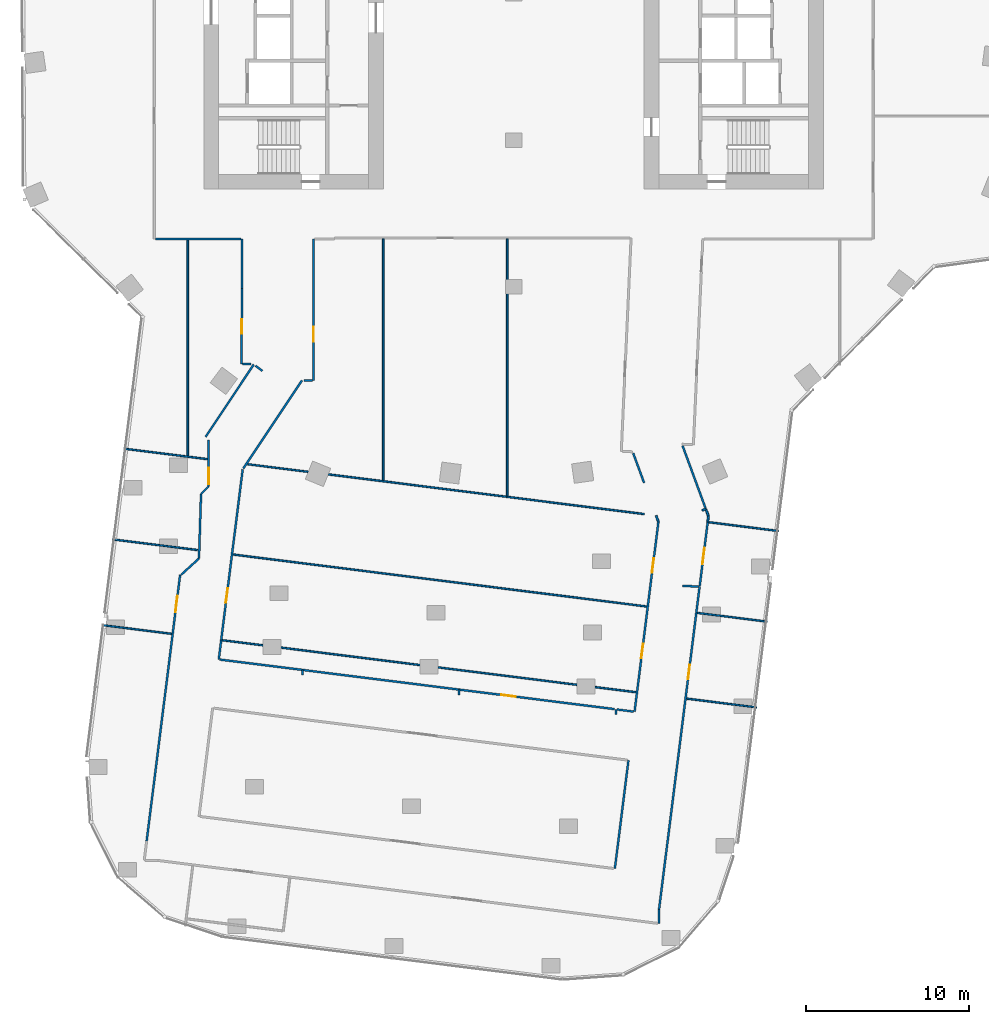
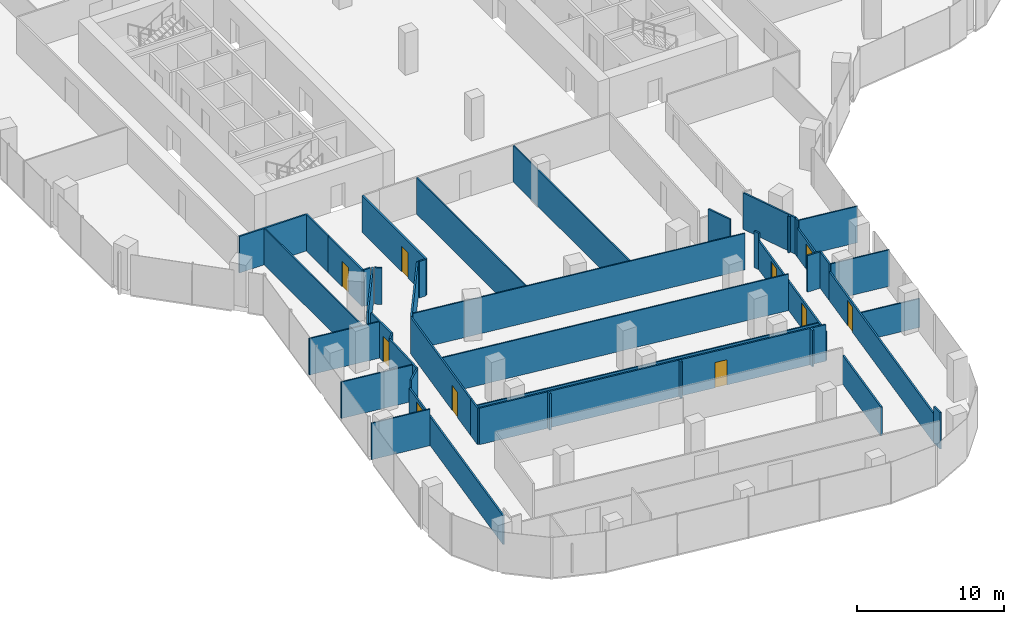
# One storey, part 19 of 27: 46 walls, 10 doors, 10 openings.
"""IFC4 building model written with IfcOpenShell, lengths in metres."""

from ifc_helpers import new_model, si_unit, direction, frame, frame_2d, origin, place, context, subcontext, project, spatial, rectangle, extrude, material, layer, layer_set, type_object, element, fill, save


model = new_model("IFC4")

# Units and contexts
model_context = context("Model", 3, precision=1e-05, world=origin(), true_north=direction((0.0, 1.0)))
body_context = subcontext(model_context, "Body", "Model", "MODEL_VIEW")
ifc_project = project(units=[si_unit("LENGTHUNIT", "METRE"), si_unit("AREAUNIT", "SQUARE_METRE"), si_unit("VOLUMEUNIT", "CUBIC_METRE"), si_unit("PLANEANGLEUNIT", "RADIAN"), si_unit("MASSUNIT", "GRAM", prefix="KILO")], contexts=[model_context])

# Site, building, storey
site_placement = place(None, origin())
site = spatial("IfcSite", under=ifc_project, at=site_placement, CompositionType="ELEMENT")
building_placement = place(site_placement, origin())
building = spatial("IfcBuilding", under=site, at=building_placement, Name="Orlundy Tower", CompositionType="ELEMENT")
storey_placement = place(building_placement, frame((0.0, 0.0, 199.10009765625)))
storey = spatial("IfcBuildingStorey", under=building, at=storey_placement, Name="L52", CompositionType="ELEMENT", Elevation=199.10009765625)

# Walls
ifc_material_1 = material(Name="Gypsum board partition")
ifc_layer_1 = layer(ifc_material_1, 0.10009765625)
ifc_layer_set_1 = layer_set([ifc_layer_1], Name="Floor partition 100")
wall_type_1 = type_object("IfcWallType", Name="Floor partition 100", PredefinedType="PARTITIONING", material=ifc_layer_set_1)
wall_1_placement = place(storey_placement, frame((-0.39892578125, -15.06201171875, 0.0), z_axis=(0.0, 0.0, 1.0), x_axis=(6.1913754e-05, -0.999999998083, 0.0)))
element("IfcWall", 1, at=wall_1_placement, inside=storey, type_object=wall_type_1, Name="wall-int-L52-001", PredefinedType="PARTITIONING", context=body_context, shape_type="SweptSolid", body=[
    extrude(rectangle(XDim=15.77294921875, YDim=0.10009765625, at=frame_2d((7.886474609375, 0.0))), origin(), (0.0, 0.0, 1.0), 3.02978515625),
])
wall_2_placement = place(storey_placement, frame((-25.281982421875, -38.7490234375, 0.0), z_axis=(0.0, 0.0, 1.0), x_axis=(0.992194392082, -0.124700795187, 0.0)))
element("IfcWall", 2, at=wall_2_placement, inside=storey, type_object=wall_type_1, Name="wall-int-L52-013", PredefinedType="PARTITIONING", context=body_context, shape_type="SweptSolid", body=[
    extrude(rectangle(XDim=4.33056640625, YDim=0.10009765625, at=frame_2d((2.165283203125, 0.0))), origin(), (0.0, 0.0, 1.0), 3.02978515625),
])
wall_3_placement = place(storey_placement, frame((-24.62109375, -33.489990234375, 0.0), z_axis=(0.0, 0.0, 1.0), x_axis=(0.992192670487, -0.124714492473, 0.0)))
element("IfcWall", 3, at=wall_3_placement, inside=storey, type_object=wall_type_1, Name="wall-int-L52-016", PredefinedType="PARTITIONING", context=body_context, shape_type="SweptSolid", body=[
    extrude(rectangle(XDim=5.260009765625, YDim=0.10009765625, at=frame_2d((2.6298828125, 0.0))), origin(), (0.0, 0.0, 1.0), 3.02978515625),
])
wall_4_placement = place(storey_placement, frame((-17.220947265625, -34.4208984375, 0.0), z_axis=(0.0, 0.0, 1.0), x_axis=(0.992190871449, -0.124728804262, 0.0)))
element("IfcWall", 4, at=wall_4_placement, inside=storey, type_object=wall_type_1, Name="wall-int-L52-017", PredefinedType="PARTITIONING", context=body_context, shape_type="SweptSolid", body=[
    extrude(rectangle(XDim=25.584716796875, YDim=0.10009765625, at=frame_2d((12.79248046875, 0.0))), origin(), (0.0, 0.0, 1.0), 3.02978515625),
])
wall_5_placement = place(storey_placement, frame((11.26611328125, -38.0029296875, 0.0), z_axis=(0.0, 0.0, 1.0), x_axis=(0.992194392082, -0.124700795187, 0.0)))
element("IfcWall", 5, at=wall_5_placement, inside=storey, type_object=wall_type_1, Name="wall-int-L52-018", PredefinedType="PARTITIONING", context=body_context, shape_type="SweptSolid", body=[
    extrude(rectangle(XDim=4.33056640625, YDim=0.10009765625, at=frame_2d((2.165283203125, 0.0))), origin(), (0.0, 0.0, 1.0), 3.02978515625),
])
wall_6_placement = place(storey_placement, frame((-23.9208984375, -27.927001953125, 0.0), z_axis=(0.0, 0.0, 1.0), x_axis=(0.992179593467, -0.124818485443, 0.0)))
element("IfcWall", 6, at=wall_6_placement, inside=storey, type_object=wall_type_1, Name="wall-int-L52-019", PredefinedType="PARTITIONING", context=body_context, shape_type="SweptSolid", body=[
    extrude(rectangle(XDim=5.175537109375, YDim=0.10009765625, at=frame_2d((2.587890625, 0.0))), origin(), (0.0, 0.0, 1.0), 3.02978515625),
])
wall_7_placement = place(storey_placement, frame((-16.31494140625, -28.884033203125, 0.0), z_axis=(0.0, 0.0, 1.0), x_axis=(0.992189406065, -0.124740460527, 0.0)))
element("IfcWall", 7, at=wall_7_placement, inside=storey, type_object=wall_type_1, Name="wall-int-L52-020", PredefinedType="PARTITIONING", context=body_context, shape_type="SweptSolid", body=[
    extrude(rectangle(XDim=24.523681640625, YDim=0.10009765625, at=frame_2d((12.26171875, 0.0))), origin(), (0.0, 0.0, 1.0), 3.02978515625),
])
wall_8_placement = place(storey_placement, frame((11.965087890625, -32.43994140625, 0.0), z_axis=(0.0, 0.0, 1.0), x_axis=(0.992194392082, -0.124700795187, 0.0)))
element("IfcWall", 8, at=wall_8_placement, inside=storey, type_object=wall_type_1, Name="wall-int-L52-021", PredefinedType="PARTITIONING", context=body_context, shape_type="SweptSolid", body=[
    extrude(rectangle(XDim=4.33056640625, YDim=0.10009765625, at=frame_2d((2.165283203125, 0.0))), origin(), (0.0, 0.0, 1.0), 3.02978515625),
])
wall_9_placement = place(storey_placement, frame((-8.0, -29.87890625, 0.0), z_axis=(0.0, 0.0, 1.0), x_axis=(0.0, 1.0, 0.0)))
element("IfcWall", 9, at=wall_9_placement, inside=storey, type_object=wall_type_1, Name="wall-int-L52-071", PredefinedType="PARTITIONING", context=body_context, shape_type="SweptSolid", body=[
    extrude(rectangle(XDim=14.81591796875, YDim=0.10009765625, at=frame_2d((7.407958984375, 0.0))), origin(), (0.0, 0.0, 1.0), 3.02978515625),
])
wall_10_placement = place(storey_placement, frame((-20.0, -28.3701171875, 0.0), z_axis=(0.0, 0.0, 1.0), x_axis=(0.0, 1.0, 0.0)))
element("IfcWall", 10, at=wall_10_placement, inside=storey, type_object=wall_type_1, Name="wall-int-L52-075", PredefinedType="PARTITIONING", context=body_context, shape_type="SweptSolid", body=[
    extrude(rectangle(XDim=13.256103515625, YDim=0.10009765625, at=frame_2d((6.6279296875, 0.0))), origin(), (0.0, 0.0, 1.0), 3.02978515625),
])
ifc_material_2 = material(Name="Gypsum board partition")
ifc_layer_2 = layer(ifc_material_2, 0.10009765625)
ifc_layer_set_2 = layer_set([ifc_layer_2], Name="Floor partition 100 B")
wall_type_2 = type_object("IfcWallType", Name="Floor partition 100 B", PredefinedType="PARTITIONING", material=ifc_layer_set_2)
wall_11_placement = place(storey_placement, frame((-17.883056640625, -39.678955078125, 0.0), z_axis=(0.0, 0.0, 1.0), x_axis=(0.992186741223, -0.124761654932, 0.0)))
element("IfcWall", 11, at=wall_11_placement, inside=storey, type_object=wall_type_2, Name="wall-int-L52-014", PredefinedType="PARTITIONING", context=body_context, shape_type="SweptSolid", body=[
    extrude(rectangle(XDim=25.5859375, YDim=0.10009765625, at=frame_2d((12.79296875, 0.0))), origin(), (0.0, 0.0, 1.0), 2.39501953125),
])
wall_12_placement = place(storey_placement, frame((10.60498046875, -43.260986328125, 0.0), z_axis=(0.0, 0.0, 1.0), x_axis=(0.992195268651, -0.124693820479, 0.0)))
element("IfcWall", 12, at=wall_12_placement, inside=storey, type_object=wall_type_2, Name="wall-int-L52-015", PredefinedType="PARTITIONING", context=body_context, shape_type="SweptSolid", body=[
    extrude(rectangle(XDim=4.330810546875, YDim=0.10009765625, at=frame_2d((2.16552734375, 0.0))), origin(), (0.0, 0.0, 1.0), 2.39501953125),
])
ifc_material_3 = material(Name="Gypsum board partition, double layer")
ifc_layer_3 = layer(ifc_material_3, 0.125)
ifc_layer_set_3 = layer_set([ifc_layer_3], Name="Floor partition 125")
wall_type_3 = type_object("IfcWallType", Name="Floor partition 125", PredefinedType="PARTITIONING", material=ifc_layer_set_3)
wall_13_placement = place(storey_placement, frame((7.33203125, -28.2099609375, 0.0), z_axis=(0.0, 0.0, 1.0), x_axis=(0.34522583337, -0.938519644959, 0.0)))
element("IfcWall", 13, at=wall_13_placement, inside=storey, type_object=wall_type_3, Name="wall-int-L52-002", PredefinedType="PARTITIONING", context=body_context, shape_type="SweptSolid", body=[
    extrude(rectangle(XDim=1.934814453125, YDim=0.125, at=frame_2d((0.96728515625, 0.0))), origin(), (0.0, 0.0, 1.0), 3.02978515625),
])
wall_14_placement = place(storey_placement, frame((8.738037109375, -32.033935546875, 0.0), z_axis=(0.0, 0.0, 1.0), x_axis=(0.344934891115, -0.938626614204, 0.0)))
element("IfcWall", 14, at=wall_14_placement, inside=storey, type_object=wall_type_3, Name="wall-int-L52-003", PredefinedType="PARTITIONING", context=body_context, shape_type="SweptSolid", body=[
    extrude(rectangle(XDim=0.4111328125, YDim=0.125, at=frame_2d((0.20556640625, 0.0))), origin(), (0.0, 0.0, 1.0), 3.02978515625),
])
wall_15_placement = place(storey_placement, frame((10.35791015625, -27.742919921875, 0.0), z_axis=(0.0, 0.0, 1.0), x_axis=(0.34503845991, -0.938588547332, 0.0)))
element("IfcWall", 15, at=wall_15_placement, inside=storey, type_object=wall_type_3, Name="wall-int-L52-004", PredefinedType="PARTITIONING", context=body_context, shape_type="SweptSolid", body=[
    extrude(rectangle(XDim=4.072021484375, YDim=0.125, at=frame_2d((2.0361328125, 0.0))), origin(), (0.0, 0.0, 1.0), 3.02978515625),
])
wall_16_placement = place(storey_placement, frame((11.785888671875, -31.6279296875, 0.0), z_axis=(0.0, 0.0, 1.0), x_axis=(0.346065449672, -0.938210373287, 0.0)))
element("IfcWall", 16, at=wall_16_placement, inside=storey, type_object=wall_type_3, Name="wall-int-L52-005", PredefinedType="PARTITIONING", context=body_context, shape_type="SweptSolid", body=[
    extrude(rectangle(XDim=0.47119140625, YDim=0.125, at=frame_2d((0.235595703125, 0.0))), origin(), (0.0, 0.0, 1.0), 3.02978515625),
])
wall_17_placement = place(storey_placement, frame((-15.840087890625, -22.843017578125, 0.0), z_axis=(0.0, 0.0, 1.0), x_axis=(0.80067453545, -0.599099564582, 0.0)))
element("IfcWall", 17, at=wall_17_placement, inside=storey, type_object=wall_type_3, Name="wall-int-L52-006", PredefinedType="PARTITIONING", context=body_context, shape_type="SweptSolid", body=[
    extrude(rectangle(XDim=0.520751953125, YDim=0.125, at=frame_2d((0.26025390625, 0.0))), origin(), (0.0, 0.0, 1.0), 3.02978515625),
])

# Wall, opening, door
wall_18_placement = place(storey_placement, frame((-18.031982421875, -40.865966796875, 0.0), z_axis=(0.0, 0.0, 1.0), x_axis=(0.9922120451, -0.124560256738, 0.0)))
wall_18 = element("IfcWall", 18, at=wall_18_placement, inside=storey, type_object=wall_type_3, Name="wall-int-L52-011", PredefinedType="PARTITIONING", context=body_context, shape_type="SweptSolid", body=[
    extrude(rectangle(XDim=24.4140625, YDim=0.125, at=frame_2d((12.20703125, 0.0))), origin(), (0.0, 0.0, 1.0), 3.02978515625),
])
opening_1_placement = place(wall_18_placement, frame((17.40380859375, 0.0, 0.0)))
opening_1 = element("IfcOpeningElement", 19, at=opening_1_placement, cuts=wall_18, Name="Opening 40105", PredefinedType="OPENING", context=body_context, shape_type="SweptSolid", body=[
    extrude(rectangle(XDim=0.89990234375, YDim=2.10009765625, at=frame_2d((0.449951171875, 1.050048828125))), frame((0.0, 0.072509765625, 0.0), z_axis=(0.0, -1.0, 0.0), x_axis=(1.0, 0.0, 0.0)), (0.0, 0.0, 1.0), 0.14501953125),
])
ifc_material_4 = material(Name="Timber door leaf", Category="wood")
door_type_1 = type_object("IfcDoorType", Name="Floor door single 900 FD30S", OperationType="NOTDEFINED", PredefinedType="DOOR", material=ifc_material_4)
door_1_placement = place(opening_1_placement, origin())
door_1 = element("IfcDoor", 20, at=door_1_placement, inside=storey, type_object=door_type_1, Name="Door 40105", OperationType="SINGLE_SWING_RIGHT", OverallHeight=2.10009765625, OverallWidth=0.89990234375, PredefinedType="DOOR", context=body_context, shape_type="SweptSolid", body=[
    extrude(rectangle(XDim=0.89990234375, YDim=2.10009765625, at=frame_2d((0.449951171875, 1.050048828125))), frame((0.0, 0.02490234375, 0.0), z_axis=(0.0, -1.0, 0.0), x_axis=(1.0, 0.0, 0.0)), (0.0, 0.0, 1.0), 0.050048828125),
])
fill(opening_1, door_1)

# Walls
wall_19_placement = place(storey_placement, frame((6.342041015625, -43.930908203125, 0.0), z_axis=(0.0, 0.0, 1.0), x_axis=(0.992192944833, -0.124712309833, 0.0)))
element("IfcWall", 21, at=wall_19_placement, inside=storey, type_object=wall_type_3, Name="wall-int-L52-012", PredefinedType="PARTITIONING", context=body_context, shape_type="SweptSolid", body=[
    extrude(rectangle(XDim=1.02001953125, YDim=0.125, at=frame_2d((0.510009765625, 0.0))), origin(), (0.0, 0.0, 1.0), 3.02978515625),
])
wall_20_placement = place(storey_placement, frame((10.365966796875, -36.35595703125, 0.0), z_axis=(0.0, 0.0, 1.0), x_axis=(0.999700907591, -0.024455988254, 0.0)))
element("IfcWall", 22, at=wall_20_placement, inside=storey, type_object=wall_type_3, Name="wall-int-L52-024", PredefinedType="PARTITIONING", context=body_context, shape_type="SweptSolid", body=[
    extrude(rectangle(XDim=0.978271484375, YDim=0.125, at=frame_2d((0.4892578125, 0.0))), origin(), (0.0, 0.0, 1.0), 3.02978515625),
])
for number, where, z_axis, x_axis, name in (
    (23, (-12.876953125, -23.7451171875, 0.0), (0.0, 0.0, 1.0), (0.999992999485, -0.003741788586, 0.0), "wall-int-L52-026"),
    (24, (-16.62890625, -22.72802734375, 0.0), (0.0, 0.0, 1.0), (0.999992999485, -0.003741788586, 0.0), "wall-int-L52-027"),
):
    element("IfcWall", number, at=place(storey_placement, frame(where, z_axis=z_axis, x_axis=x_axis)), inside=storey, type_object=wall_type_3, Name=name, PredefinedType="PARTITIONING", context=body_context, shape_type="SweptSolid", body=[
        extrude(rectangle(XDim=0.52197265625, YDim=0.125, at=frame_2d((0.260986328125, 0.0))), origin(), (0.0, 0.0, 1.0), 3.02978515625),
    ])
wall_21_placement = place(storey_placement, frame((-20.402099609375, -35.6640625, 0.0), z_axis=(0.0, 0.0, 1.0), x_axis=(0.738431976745, 0.674327973408, 0.0)))
element("IfcWall", 25, at=wall_21_placement, inside=storey, type_object=wall_type_3, Name="wall-int-L52-028", PredefinedType="PARTITIONING", context=body_context, shape_type="SweptSolid", body=[
    extrude(rectangle(XDim=1.4814453125, YDim=0.125, at=frame_2d((0.74072265625, 0.0))), origin(), (0.0, 0.0, 1.0), 3.02978515625),
])
wall_22_placement = place(storey_placement, frame((-19.181884765625, -30.702880859375, 0.0), z_axis=(0.0, 0.0, 1.0), x_axis=(0.707106781187, 0.707106781187, 0.0)))
element("IfcWall", 26, at=wall_22_placement, inside=storey, type_object=wall_type_3, Name="wall-int-L52-029", PredefinedType="PARTITIONING", context=body_context, shape_type="SweptSolid", body=[
    extrude(rectangle(XDim=0.65869140625, YDim=0.125, at=frame_2d((0.329345703125, 0.0))), origin(), (0.0, 0.0, 1.0), 3.02978515625),
])
wall_23_placement = place(storey_placement, frame((-21.988037109375, -15.051025390625, 0.0), z_axis=(0.0, 0.0, 1.0), x_axis=(1.0, 0.0, 0.0)))
element("IfcWall", 27, at=wall_23_placement, inside=storey, type_object=wall_type_3, Name="wall-int-L52-030", PredefinedType="PARTITIONING", context=body_context, shape_type="SweptSolid", body=[
    extrude(rectangle(XDim=5.255126953125, YDim=0.125, at=frame_2d((2.62744140625, 0.0))), origin(), (0.0, 0.0, 1.0), 3.02978515625),
])
wall_24_placement = place(storey_placement, frame((11.56298828125, -31.720947265625, 0.0), z_axis=(0.0, 0.0, 1.0), x_axis=(0.921426271694, 0.3885532471, 0.0)))
element("IfcWall", 28, at=wall_24_placement, inside=storey, type_object=wall_type_3, Name="wall-int-L52-041", PredefinedType="PARTITIONING", context=body_context, shape_type="SweptSolid", body=[
    extrude(rectangle(XDim=0.241943359375, YDim=0.125, at=frame_2d((0.12109375, 0.0))), origin(), (0.0, 0.0, 1.0), 3.02978515625),
])
wall_25_placement = place(storey_placement, frame((-12.992919921875, -23.7451171875, 0.0), z_axis=(0.0, 0.0, 1.0), x_axis=(-0.554439865958, -0.832223789035, 0.0)))
element("IfcWall", 29, at=wall_25_placement, inside=storey, type_object=wall_type_3, Name="wall-int-L52-042", PredefinedType="PARTITIONING", context=body_context, shape_type="SweptSolid", body=[
    extrude(rectangle(XDim=6.4931640625, YDim=0.125, at=frame_2d((3.24658203125, 0.0))), origin(), (0.0, 0.0, 1.0), 3.02978515625),
])
wall_26_placement = place(storey_placement, frame((-15.947998046875, -22.76806640625, 0.0), z_axis=(0.0, 0.0, 1.0), x_axis=(-0.554404200785, -0.832247548601, 0.0)))
element("IfcWall", 30, at=wall_26_placement, inside=storey, type_object=wall_type_3, Name="wall-int-L52-043", PredefinedType="PARTITIONING", context=body_context, shape_type="SweptSolid", body=[
    extrude(rectangle(XDim=5.330078125, YDim=0.125, at=frame_2d((2.6650390625, 0.0))), origin(), (0.0, 0.0, 1.0), 3.02978515625),
])
wall_27_placement = place(storey_placement, frame((-19.18310546875, -30.7080078125, 0.0), z_axis=(0.0, 0.0, 1.0), x_axis=(-0.0315735891, -0.99950142995, 0.0)))
element("IfcWall", 31, at=wall_27_placement, inside=storey, type_object=wall_type_3, Name="wall-int-L52-044", PredefinedType="PARTITIONING", context=body_context, shape_type="SweptSolid", body=[
    extrude(rectangle(XDim=3.958984375, YDim=0.125, at=frame_2d((1.9794921875, 0.0))), origin(), (0.0, 0.0, 1.0), 3.02978515625),
])
wall_28_placement = place(storey_placement, frame((11.903076171875, -32.431884765625, 0.0), z_axis=(0.0, 0.0, 1.0), x_axis=(0.125847054802, 0.992049655409, 0.0)))
element("IfcWall", 32, at=wall_28_placement, inside=storey, type_object=wall_type_3, Name="wall-int-L52-045", PredefinedType="PARTITIONING", context=body_context, shape_type="SweptSolid", body=[
    extrude(rectangle(XDim=0.36474609375, YDim=0.125, at=frame_2d((0.182373046875, 0.0))), origin(), (0.0, 0.0, 1.0), 3.02978515625),
])

# Wall, opening, door
wall_29_placement = place(storey_placement, frame((-16.6259765625, -29.197998046875, 0.0), z_axis=(0.0, 0.0, 1.0), x_axis=(-0.1249655299, -0.992161083865, 0.0)))
wall_29 = element("IfcWall", 33, at=wall_29_placement, inside=storey, type_object=wall_type_3, Name="wall-int-L52-052", PredefinedType="PARTITIONING", context=body_context, shape_type="SweptSolid", body=[
    extrude(rectangle(XDim=10.5556640625, YDim=0.125, at=frame_2d((5.27783203125, 0.0))), origin(), (0.0, 0.0, 1.0), 3.02978515625),
])
opening_2_placement = place(wall_29_placement, frame((7.35595703125, 0.0, 0.0)))
opening_2 = element("IfcOpeningElement", 34, at=opening_2_placement, cuts=wall_29, Name="Opening 40103", PredefinedType="OPENING", context=body_context, shape_type="SweptSolid", body=[
    extrude(rectangle(XDim=0.89990234375, YDim=2.10009765625, at=frame_2d((0.449951171875, 1.050048828125))), frame((0.0, 0.072509765625, 0.0), z_axis=(0.0, -1.0, 0.0), x_axis=(1.0, 0.0, 0.0)), (0.0, 0.0, 1.0), 0.14501953125),
])
door_2_placement = place(opening_2_placement, origin())
door_2 = element("IfcDoor", 35, at=door_2_placement, inside=storey, type_object=door_type_1, Name="Door 40103", OperationType="SINGLE_SWING_RIGHT", OverallHeight=2.10009765625, OverallWidth=0.89990234375, PredefinedType="DOOR", context=body_context, shape_type="SweptSolid", body=[
    extrude(rectangle(XDim=0.89990234375, YDim=2.10009765625, at=frame_2d((0.449951171875, 1.050048828125))), frame((0.0, 0.02490234375, 0.0), z_axis=(0.0, -1.0, 0.0), x_axis=(1.0, 0.0, 0.0)), (0.0, 0.0, 1.0), 0.050048828125),
])
fill(opening_2, door_2)

# Walls
wall_30_placement = place(storey_placement, frame((-18.093994140625, -40.85791015625, 0.0), z_axis=(0.0, 0.0, 1.0), x_axis=(0.124486830253, 0.99222126015, 0.0)))
element("IfcWall", 36, at=wall_30_placement, inside=storey, type_object=wall_type_3, Name="wall-int-L52-054", PredefinedType="PARTITIONING", context=body_context, shape_type="SweptSolid", body=[
    extrude(rectangle(XDim=1.1962890625, YDim=0.125, at=frame_2d((0.59814453125, 0.0))), origin(), (0.0, 0.0, 1.0), 3.02978515625),
])
wall_31_placement = place(storey_placement, frame((11.2041015625, -37.9951171875, 0.0), z_axis=(0.0, 0.0, 1.0), x_axis=(0.124201089062, 0.992257068242, 0.0)))
element("IfcWall", 37, at=wall_31_placement, inside=storey, type_object=wall_type_3, Name="wall-int-L52-056", PredefinedType="PARTITIONING", context=body_context, shape_type="SweptSolid", body=[
    extrude(rectangle(XDim=1.625732421875, YDim=0.125, at=frame_2d((0.81298828125, 0.0))), origin(), (0.0, 0.0, 1.0), 3.02978515625),
])
wall_32_placement = place(storey_placement, frame((8.906005859375, -57.056884765625, 0.0), z_axis=(0.0, 0.0, 1.0), x_axis=(0.010516757761, 0.999944697374, 0.0)))
element("IfcWall", 38, at=wall_32_placement, inside=storey, type_object=wall_type_3, Name="wall-int-L52-060", PredefinedType="PARTITIONING", context=body_context, shape_type="SweptSolid", body=[
    extrude(rectangle(XDim=0.85888671875, YDim=0.125, at=frame_2d((0.429443359375, 0.0))), origin(), (0.0, 0.0, 1.0), 3.02978515625),
])

# Wall, opening, door
wall_33_placement = place(storey_placement, frame((-12.27001953125, -15.051025390625, 0.0), z_axis=(0.0, 0.0, 1.0), x_axis=(-0.002639031771, -0.99999651775, 0.0)))
wall_33 = element("IfcWall", 39, at=wall_33_placement, inside=storey, type_object=wall_type_3, Name="wall-int-L52-061", PredefinedType="PARTITIONING", context=body_context, shape_type="SweptSolid", body=[
    extrude(rectangle(XDim=8.696044921875, YDim=0.125, at=frame_2d((4.34814453125, 0.0))), origin(), (0.0, 0.0, 1.0), 3.02978515625),
])
opening_3_placement = place(wall_33_placement, frame((5.405517578125, 0.0, 0.0)))
opening_3 = element("IfcOpeningElement", 40, at=opening_3_placement, cuts=wall_33, Name="Opening 40113", PredefinedType="OPENING", context=body_context, shape_type="SweptSolid", body=[
    extrude(rectangle(XDim=0.89990234375, YDim=2.10009765625, at=frame_2d((0.449951171875, 1.050048828125))), frame((0.0, 0.072509765625, 0.0), z_axis=(0.0, -1.0, 0.0), x_axis=(1.0, 0.0, 0.0)), (0.0, 0.0, 1.0), 0.14501953125),
])
door_3_placement = place(opening_3_placement, origin())
door_3 = element("IfcDoor", 41, at=door_3_placement, inside=storey, type_object=door_type_1, Name="Door 40113", OperationType="SINGLE_SWING_RIGHT", OverallHeight=2.10009765625, OverallWidth=0.89990234375, PredefinedType="DOOR", context=body_context, shape_type="SweptSolid", body=[
    extrude(rectangle(XDim=0.89990234375, YDim=2.10009765625, at=frame_2d((0.449951171875, 1.050048828125))), frame((0.0, 0.02490234375, 0.0), z_axis=(0.0, -1.0, 0.0), x_axis=(1.0, 0.0, 0.0)), (0.0, 0.0, 1.0), 0.050048828125),
])
fill(opening_3, door_3)

# Wall
wall_34_placement = place(storey_placement, frame((-16.678955078125, -18.093994140625, 0.0), z_axis=(0.0, 0.0, 1.0), x_axis=(0.002647615881, 0.999996495059, 0.0)))
element("IfcWall", 42, at=wall_34_placement, inside=storey, type_object=wall_type_3, Name="wall-int-L52-062", PredefinedType="PARTITIONING", context=body_context, shape_type="SweptSolid", body=[
    extrude(rectangle(XDim=3.04296875, YDim=0.125, at=frame_2d((1.521484375, 0.0))), origin(), (0.0, 0.0, 1.0), 3.02978515625),
])

# Wall, opening, door
wall_35_placement = place(storey_placement, frame((-16.69091796875, -22.72802734375, 0.0), z_axis=(0.0, 0.0, 1.0), x_axis=(0.002581520295, 0.999996667871, 0.0)))
wall_35 = element("IfcWall", 43, at=wall_35_placement, inside=storey, type_object=wall_type_3, Name="wall-int-L52-063", PredefinedType="PARTITIONING", context=body_context, shape_type="SweptSolid", body=[
    extrude(rectangle(XDim=4.634033203125, YDim=0.125, at=frame_2d((2.31689453125, 0.0))), origin(), (0.0, 0.0, 1.0), 3.02978515625),
])
opening_4_placement = place(wall_35_placement, frame((1.85009765625, 0.0, 0.0)))
opening_4 = element("IfcOpeningElement", 44, at=opening_4_placement, cuts=wall_35, Name="Opening 40112", PredefinedType="OPENING", context=body_context, shape_type="SweptSolid", body=[
    extrude(rectangle(XDim=0.89990234375, YDim=2.10009765625, at=frame_2d((0.449951171875, 1.050048828125))), frame((0.0, 0.072509765625, 0.0), z_axis=(0.0, -1.0, 0.0), x_axis=(1.0, 0.0, 0.0)), (0.0, 0.0, 1.0), 0.14501953125),
])
door_4_placement = place(opening_4_placement, origin())
door_4 = element("IfcDoor", 45, at=door_4_placement, inside=storey, type_object=door_type_1, Name="Door 40112", OperationType="SINGLE_SWING_LEFT", OverallHeight=2.10009765625, OverallWidth=0.89990234375, PredefinedType="DOOR", context=body_context, shape_type="SweptSolid", body=[
    extrude(rectangle(XDim=0.89990234375, YDim=2.10009765625, at=frame_2d((0.449951171875, 1.050048828125))), frame((0.0, 0.02490234375, 0.0), z_axis=(0.0, -1.0, 0.0), x_axis=(1.0, 0.0, 0.0)), (0.0, 0.0, 1.0), 0.050048828125),
])
fill(opening_4, door_4)

# Walls
wall_36_placement = place(storey_placement, frame((6.280029296875, -44.2470703125, 0.0), z_axis=(0.0, 0.0, 1.0), x_axis=(0.0, 1.0, 0.0)))
element("IfcWall", 46, at=wall_36_placement, inside=storey, type_object=wall_type_3, Name="wall-int-L52-068", PredefinedType="PARTITIONING", context=body_context, shape_type="SweptSolid", body=[
    extrude(rectangle(XDim=0.323974609375, YDim=0.125, at=frame_2d((0.162109375, 0.0))), origin(), (0.0, 0.0, 1.0), 3.02978515625),
])
wall_37_placement = place(storey_placement, frame((-3.344970703125, -43.037109375, 0.0), z_axis=(0.0, 0.0, 1.0), x_axis=(0.0, 1.0, 0.0)))
element("IfcWall", 47, at=wall_37_placement, inside=storey, type_object=wall_type_3, Name="wall-int-L52-070", PredefinedType="PARTITIONING", context=body_context, shape_type="SweptSolid", body=[
    extrude(rectangle(XDim=0.32421875, YDim=0.125, at=frame_2d((0.162109375, 0.0))), origin(), (0.0, 0.0, 1.0), 3.02978515625),
])
wall_38_placement = place(storey_placement, frame((-12.968017578125, -41.826904296875, 0.0), z_axis=(0.0, 0.0, 1.0), x_axis=(0.0, 1.0, 0.0)))
element("IfcWall", 48, at=wall_38_placement, inside=storey, type_object=wall_type_3, Name="wall-int-L52-073", PredefinedType="PARTITIONING", context=body_context, shape_type="SweptSolid", body=[
    extrude(rectangle(XDim=0.323974609375, YDim=0.125, at=frame_2d((0.162109375, 0.0))), origin(), (0.0, 0.0, 1.0), 3.02978515625),
])

# Wall, opening, door
wall_39_placement = place(storey_placement, frame((-18.716064453125, -30.237060546875, 0.0), z_axis=(0.0, 0.0, 1.0), x_axis=(0.0, 1.0, 0.0)))
wall_39 = element("IfcWall", 49, at=wall_39_placement, inside=storey, type_object=wall_type_3, Name="wall-int-L52-074", PredefinedType="PARTITIONING", context=body_context, shape_type="SweptSolid", body=[
    extrude(rectangle(XDim=2.826171875, YDim=0.125, at=frame_2d((1.4130859375, 0.0))), origin(), (0.0, 0.0, 1.0), 3.02978515625),
])
opening_5_placement = place(wall_39_placement, frame((0.134033203125, 0.0, 0.0)))
opening_5 = element("IfcOpeningElement", 50, at=opening_5_placement, cuts=wall_39, Name="Opening 40109", PredefinedType="OPENING", context=body_context, shape_type="SweptSolid", body=[
    extrude(rectangle(XDim=1.0, YDim=2.10009765625, at=frame_2d((0.5, 1.050048828125))), frame((0.0, 0.072509765625, 0.0), z_axis=(0.0, -1.0, 0.0), x_axis=(1.0, 0.0, 0.0)), (0.0, 0.0, 1.0), 0.14501953125),
])
ifc_material_5 = material(Name="Timber door leaf", Category="wood")
door_type_2 = type_object("IfcDoorType", Name="Floor door wide 1000 FD30S", OperationType="NOTDEFINED", PredefinedType="DOOR", material=ifc_material_5)
door_5_placement = place(opening_5_placement, origin())
door_5 = element("IfcDoor", 51, at=door_5_placement, inside=storey, type_object=door_type_2, Name="Door 40109", OperationType="SINGLE_SWING_LEFT", OverallHeight=2.10009765625, OverallWidth=1.0, PredefinedType="DOOR", context=body_context, shape_type="SweptSolid", body=[
    extrude(rectangle(XDim=1.0, YDim=2.10009765625, at=frame_2d((0.5, 1.050048828125))), frame((0.0, 0.02490234375, 0.0), z_axis=(0.0, -1.0, 0.0), x_axis=(1.0, 0.0, 0.0)), (0.0, 0.0, 1.0), 0.050048828125),
])
fill(opening_5, door_5)

ifc_material_6 = material(Name="Gypsum board partition, double layer")
ifc_layer_4 = layer(ifc_material_6, 0.125)
ifc_layer_set_4 = layer_set([ifc_layer_4], Name="Floor partition 125 B")
wall_type_4 = type_object("IfcWallType", Name="Floor partition 125 B", PredefinedType="PARTITIONING", material=ifc_layer_set_4)
wall_40_placement = place(storey_placement, frame((11.2041015625, -37.993896484375, 0.0), z_axis=(0.0, 0.0, 1.0), x_axis=(-0.124761850955, -0.992186716574, 0.0)))
wall_40 = element("IfcWall", 52, at=wall_40_placement, inside=storey, type_object=wall_type_4, Name="wall-int-L52-046", PredefinedType="PARTITIONING", context=body_context, shape_type="SweptSolid", body=[
    extrude(rectangle(XDim=18.347412109375, YDim=0.125, at=frame_2d((9.173828125, 0.0))), origin(), (0.0, 0.0, 1.0), 2.39501953125),
])
opening_6_placement = place(wall_40_placement, frame((3.225341796875, 0.0, 0.0)))
opening_6 = element("IfcOpeningElement", 53, at=opening_6_placement, cuts=wall_40, Name="Opening 40101", PredefinedType="OPENING", context=body_context, shape_type="SweptSolid", body=[
    extrude(rectangle(XDim=0.89990234375, YDim=2.10009765625, at=frame_2d((0.449951171875, 1.050048828125))), frame((0.0, 0.072509765625, 0.0), z_axis=(0.0, -1.0, 0.0), x_axis=(1.0, 0.0, 0.0)), (0.0, 0.0, 1.0), 0.14501953125),
])
door_6_placement = place(opening_6_placement, origin())
door_6 = element("IfcDoor", 54, at=door_6_placement, inside=storey, type_object=door_type_1, Name="Door 40101", OperationType="SINGLE_SWING_LEFT", OverallHeight=2.10009765625, OverallWidth=0.89990234375, PredefinedType="DOOR", context=body_context, shape_type="SweptSolid", body=[
    extrude(rectangle(XDim=0.89990234375, YDim=2.10009765625, at=frame_2d((0.449951171875, 1.050048828125))), frame((0.0, 0.02490234375, 0.0), z_axis=(0.0, -1.0, 0.0), x_axis=(1.0, 0.0, 0.0)), (0.0, 0.0, 1.0), 0.050048828125),
])
fill(opening_6, door_6)

wall_41_placement = place(storey_placement, frame((11.903076171875, -32.431884765625, 0.0), z_axis=(0.0, 0.0, 1.0), x_axis=(-0.124726255985, -0.992191191791, 0.0)))
wall_41 = element("IfcWall", 55, at=wall_41_placement, inside=storey, type_object=wall_type_4, Name="wall-int-L52-047", PredefinedType="PARTITIONING", context=body_context, shape_type="SweptSolid", body=[
    extrude(rectangle(XDim=3.953857421875, YDim=0.125, at=frame_2d((1.97705078125, 0.0))), origin(), (0.0, 0.0, 1.0), 2.39501953125),
])
opening_7_placement = place(wall_41_placement, frame((1.60009765625, 0.0, 0.0)))
opening_7 = element("IfcOpeningElement", 56, at=opening_7_placement, cuts=wall_41, Name="Opening 40100", PredefinedType="OPENING", context=body_context, shape_type="SweptSolid", body=[
    extrude(rectangle(XDim=1.0, YDim=2.10009765625, at=frame_2d((0.5, 1.050048828125))), frame((0.0, 0.072509765625, 0.0), z_axis=(0.0, -1.0, 0.0), x_axis=(1.0, 0.0, 0.0)), (0.0, 0.0, 1.0), 0.14501953125),
])
door_7_placement = place(opening_7_placement, origin())
door_7 = element("IfcDoor", 57, at=door_7_placement, inside=storey, type_object=door_type_2, Name="Door 40100", OperationType="SINGLE_SWING_RIGHT", OverallHeight=2.10009765625, OverallWidth=1.0, PredefinedType="DOOR", context=body_context, shape_type="SweptSolid", body=[
    extrude(rectangle(XDim=1.0, YDim=2.10009765625, at=frame_2d((0.5, 1.050048828125))), frame((0.0, 0.02490234375, 0.0), z_axis=(0.0, -1.0, 0.0), x_axis=(1.0, 0.0, 0.0)), (0.0, 0.0, 1.0), 0.050048828125),
])
fill(opening_7, door_7)

# Wall
wall_42_placement = place(storey_placement, frame((6.205078125, -53.693115234375, 0.0), z_axis=(0.0, 0.0, 1.0), x_axis=(0.124720623553, 0.992191899816, 0.0)))
element("IfcWall", 58, at=wall_42_placement, inside=storey, type_object=wall_type_4, Name="wall-int-L52-048", PredefinedType="PARTITIONING", context=body_context, shape_type="SweptSolid", body=[
    extrude(rectangle(XDim=6.702392578125, YDim=0.125, at=frame_2d((3.35107421875, 0.0))), origin(), (0.0, 0.0, 1.0), 2.39501953125),
])

# Wall, openings, doors
wall_43_placement = place(storey_placement, frame((7.416015625, -44.06591796875, 0.0), z_axis=(0.0, 0.0, 1.0), x_axis=(0.124521004899, 0.992216971906, 0.0)))
wall_43 = element("IfcWall", 59, at=wall_43_placement, inside=storey, type_object=wall_type_4, Name="wall-int-L52-049", PredefinedType="PARTITIONING", context=body_context, shape_type="SweptSolid", body=[
    extrude(rectangle(XDim=11.740234375, YDim=0.125, at=frame_2d((5.8701171875, 0.0))), origin(), (0.0, 0.0, 1.0), 2.39501953125),
])
opening_8_placement = place(wall_43_placement, frame((8.5966796875, 0.0, 0.0)))
opening_8 = element("IfcOpeningElement", 60, at=opening_8_placement, cuts=wall_43, Name="Opening 40102", PredefinedType="OPENING", context=body_context, shape_type="SweptSolid", body=[
    extrude(rectangle(XDim=0.89990234375, YDim=2.10009765625, at=frame_2d((0.449951171875, 1.050048828125))), frame((0.0, 0.072509765625, 0.0), z_axis=(0.0, -1.0, 0.0), x_axis=(1.0, 0.0, 0.0)), (0.0, 0.0, 1.0), 0.14501953125),
])
opening_9_placement = place(wall_43_placement, frame((3.29638671875, 0.0, 0.0)))
opening_9 = element("IfcOpeningElement", 61, at=opening_9_placement, cuts=wall_43, Name="Opening 40104", PredefinedType="OPENING", context=body_context, shape_type="SweptSolid", body=[
    extrude(rectangle(XDim=0.89990234375, YDim=2.10009765625, at=frame_2d((0.449951171875, 1.050048828125))), frame((0.0, 0.072509765625, 0.0), z_axis=(0.0, -1.0, 0.0), x_axis=(1.0, 0.0, 0.0)), (0.0, 0.0, 1.0), 0.14501953125),
])
door_8_placement = place(opening_8_placement, origin())
door_8 = element("IfcDoor", 62, at=door_8_placement, inside=storey, type_object=door_type_1, Name="Door 40102", OperationType="SINGLE_SWING_RIGHT", OverallHeight=2.10009765625, OverallWidth=0.89990234375, PredefinedType="DOOR", context=body_context, shape_type="SweptSolid", body=[
    extrude(rectangle(XDim=0.89990234375, YDim=2.10009765625, at=frame_2d((0.449951171875, 1.050048828125))), frame((0.0, 0.02490234375, 0.0), z_axis=(0.0, -1.0, 0.0), x_axis=(1.0, 0.0, 0.0)), (0.0, 0.0, 1.0), 0.050048828125),
])
fill(opening_8, door_8)
door_9_placement = place(opening_9_placement, origin())
door_9 = element("IfcDoor", 63, at=door_9_placement, inside=storey, type_object=door_type_1, Name="Door 40104", OperationType="SINGLE_SWING_LEFT", OverallHeight=2.10009765625, OverallWidth=0.89990234375, PredefinedType="DOOR", context=body_context, shape_type="SweptSolid", body=[
    extrude(rectangle(XDim=0.89990234375, YDim=2.10009765625, at=frame_2d((0.449951171875, 1.050048828125))), frame((0.0, 0.02490234375, 0.0), z_axis=(0.0, -1.0, 0.0), x_axis=(1.0, 0.0, 0.0)), (0.0, 0.0, 1.0), 0.050048828125),
])
fill(opening_9, door_9)

# Wall, opening, door
wall_44_placement = place(storey_placement, frame((-22.52001953125, -52.008056640625, 0.0), z_axis=(0.0, 0.0, 1.0), x_axis=(0.124660538506, 0.992199450786, 0.0)))
wall_44 = element("IfcWall", 64, at=wall_44_placement, inside=storey, type_object=wall_type_4, Name="wall-int-L52-055", PredefinedType="PARTITIONING", context=body_context, shape_type="SweptSolid", body=[
    extrude(rectangle(XDim=16.468505859375, YDim=0.125, at=frame_2d((8.234375, 0.0))), origin(), (0.0, 0.0, 1.0), 2.39501953125),
])
opening_10_placement = place(wall_44_placement, frame((14.160888671875, 0.0, 0.0)))
opening_10 = element("IfcOpeningElement", 65, at=opening_10_placement, cuts=wall_44, Name="Opening 40110", PredefinedType="OPENING", context=body_context, shape_type="SweptSolid", body=[
    extrude(rectangle(XDim=1.0, YDim=2.10009765625, at=frame_2d((0.5, 1.050048828125))), frame((0.0, 0.072509765625, 0.0), z_axis=(0.0, -1.0, 0.0), x_axis=(1.0, 0.0, 0.0)), (0.0, 0.0, 1.0), 0.14501953125),
])
door_10_placement = place(opening_10_placement, origin())
door_10 = element("IfcDoor", 66, at=door_10_placement, inside=storey, type_object=door_type_2, Name="Door 40110", OperationType="SINGLE_SWING_RIGHT", OverallHeight=2.10009765625, OverallWidth=1.0, PredefinedType="DOOR", context=body_context, shape_type="SweptSolid", body=[
    extrude(rectangle(XDim=1.0, YDim=2.10009765625, at=frame_2d((0.5, 1.050048828125))), frame((0.0, 0.02490234375, 0.0), z_axis=(0.0, -1.0, 0.0), x_axis=(1.0, 0.0, 0.0)), (0.0, 0.0, 1.0), 0.050048828125),
])
fill(opening_10, door_10)

save(model, "model.ifc")
